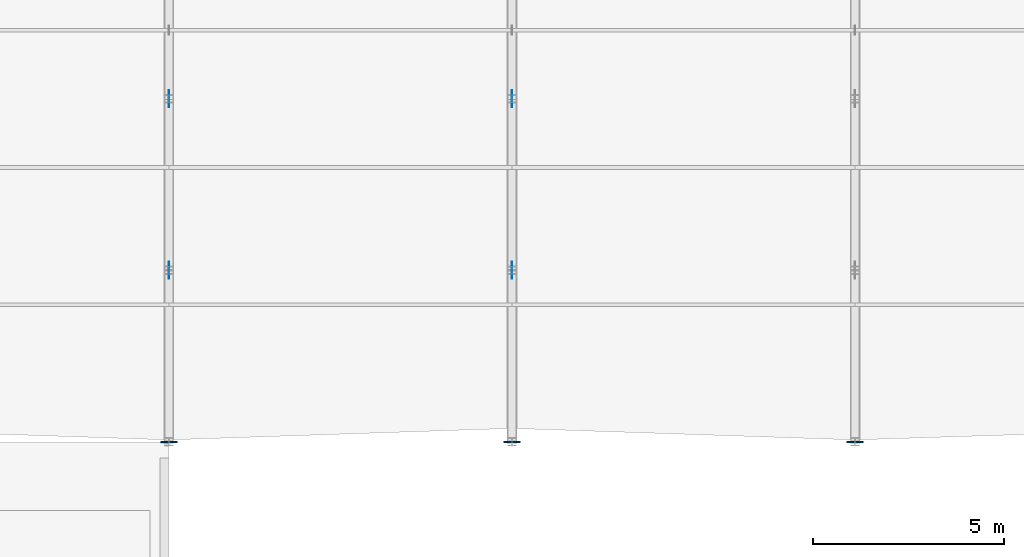
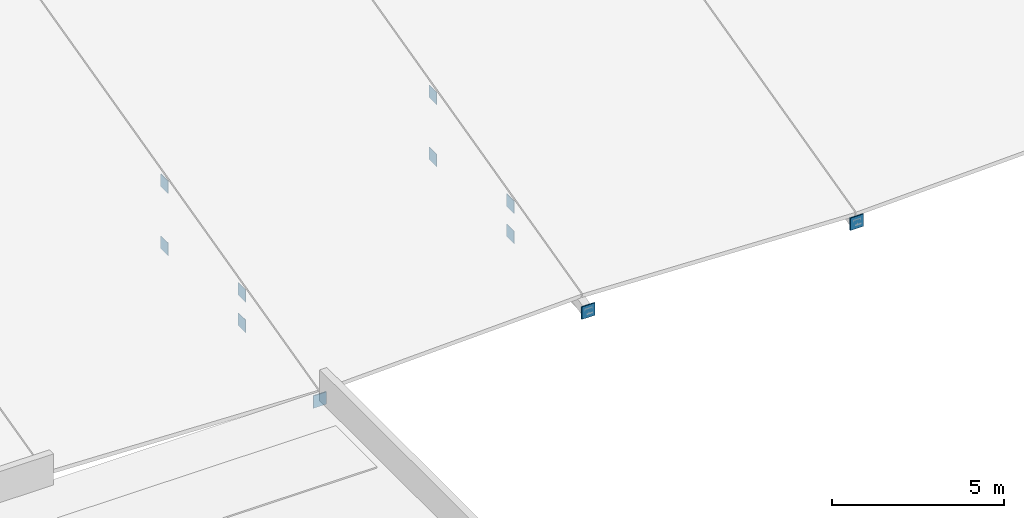
# One storey, part 24 of 36: 11 plates.
"""IFC4 building model written with IfcOpenShell, lengths in metres."""

import ifcopenshell
import ifcopenshell.guid

model = None  # the IFC model being written
_history = None  # IfcOwnerHistory: only IFC2X3 demands one
_inside = {}  # id of a spatial element -> (the spatial element, [elements in it])
_under = {}  # id of a project, library or spatial element -> (it, [spatial elements below it])
_declared = {}  # id of a project -> (the project, [libraries it declares])
_typed = {}  # id of a type object -> (the type object, [elements of that type])
_made_of = {}  # id of a material, layer set ... -> (it, [elements and type objects made of it])


def new_model(schema):
    """Start an empty IFC model of exactly this schema.

    Asked for "IFC4X3", IfcOpenShell would pick the latest addendum, in which some entities
    have other attributes; the version numbers below select the first issue.
    IFC2X3 requires an IfcOwnerHistory on every rooted entity: one is made here for all.
    """
    global model, _history
    if schema == "IFC4X3":
        model = ifcopenshell.file(schema_version=(4, 3, 0, 0))
    else:
        model = ifcopenshell.file(schema=schema)
    _inside.clear()
    _under.clear()
    _declared.clear()
    _typed.clear()
    _made_of.clear()
    _history = None
    if model.schema == "IFC2X3":
        org = make("IfcOrganization", Name="unknown")
        user = make(
            "IfcPersonAndOrganization",
            ThePerson=make("IfcPerson", FamilyName="unknown"),
            TheOrganization=org,
        )
        app = make(
            "IfcApplication",
            ApplicationDeveloper=org,
            Version="unknown",
            ApplicationFullName="unknown",
            ApplicationIdentifier="unknown",
        )
        _history = make(
            "IfcOwnerHistory",
            OwningUser=user,
            OwningApplication=app,
            ChangeAction="ADDED",
            CreationDate=0,
        )
    return model


def make(cls, **values):
    """One entity of the class cls with the attributes given. An attribute that is None is left unset."""
    return model.create_entity(
        cls, **{name: value for name, value in values.items() if value is not None}
    )


def rooted(cls, **values):
    """An entity with a GlobalId (a new one), such as an element, a storey or a relation."""
    return make(cls, GlobalId=ifcopenshell.guid.new(), OwnerHistory=_history, **values)


def si_unit(unit_type, name, prefix=None):
    """IfcSIUnit, for example si_unit("LENGTHUNIT", "METRE", prefix="MILLI")."""
    return make("IfcSIUnit", UnitType=unit_type, Prefix=prefix, Name=name)


def assignment(units):
    """IfcUnitAssignment: the units of a project."""
    return None if units is None else make("IfcUnitAssignment", Units=units)


def point(xyz):
    """IfcCartesianPoint."""
    return None if xyz is None else make("IfcCartesianPoint", Coordinates=xyz)


def direction(xyz):
    """IfcDirection."""
    return None if xyz is None else make("IfcDirection", DirectionRatios=xyz)


def frame(location, z_axis=None, x_axis=None):
    """IfcAxis2Placement3D, a coordinate frame: its origin and axes. An axis left out is left unset."""
    return make(
        "IfcAxis2Placement3D",
        Location=point(location),
        Axis=direction(z_axis),
        RefDirection=direction(x_axis),
    )


def frame_2d(location, x_axis=None):
    """IfcAxis2Placement2D, a coordinate frame in the plane: its origin and x axis."""
    return make(
        "IfcAxis2Placement2D", Location=point(location), RefDirection=direction(x_axis)
    )


def origin():
    """The frame at (0, 0, 0) with its axes left unset."""
    return frame((0.0, 0.0, 0.0))


def origin_2d():
    """The frame at (0, 0) in the plane with its x axis left unset."""
    return frame_2d((0.0, 0.0))


def place(relative_to, where):
    """IfcLocalPlacement: puts the frame where relative to a parent placement (None: the world)."""
    return make(
        "IfcLocalPlacement", PlacementRelTo=relative_to, RelativePlacement=where
    )


def context(
    kind, dimensions, precision=None, world=None, true_north=None, identifier=None
):
    """IfcGeometricRepresentationContext, for example the 3D "Model" context."""
    return make(
        "IfcGeometricRepresentationContext",
        ContextIdentifier=identifier,
        ContextType=kind,
        CoordinateSpaceDimension=dimensions,
        Precision=precision,
        WorldCoordinateSystem=world,
        TrueNorth=true_north,
    )


def subcontext(parent, identifier, kind, view, scale=None):
    """IfcGeometricRepresentationSubContext, for example "Body" below "Model"."""
    return make(
        "IfcGeometricRepresentationSubContext",
        ContextIdentifier=identifier,
        ContextType=kind,
        ParentContext=parent,
        TargetScale=scale,
        TargetView=view,
    )


def project(units=None, contexts=None):
    """IfcProject with its units and contexts."""
    return rooted(
        "IfcProject",
        Name="project",
        RepresentationContexts=contexts,
        UnitsInContext=assignment(units),
    )


def spatial(cls, under=None, at=None, **own):
    """A site, building, storey or space (cls), placed at a placement, below another one or the project."""
    s = rooted(cls, ObjectPlacement=at, **own)
    if under is not None:
        _under.setdefault(under.id(), (under, []))[1].append(s)
    return s


def profile(cls, at=None, kind="AREA", **sizes):
    """A parametric profile (cls). Its sizes go by their IFC names, for example OverallWidth=200.0."""
    return make(cls, ProfileType=kind, Position=at, **sizes)


def rectangle(**sizes):
    """IfcRectangleProfileDef."""
    return profile("IfcRectangleProfileDef", **sizes)


def extrude(swept, where, along, depth):
    """IfcExtrudedAreaSolid: the profile swept, set in the frame where, extruded along a direction by depth."""
    return make(
        "IfcExtrudedAreaSolid",
        SweptArea=swept,
        Position=where,
        ExtrudedDirection=direction(along),
        Depth=depth,
    )


def shape(context_of_items, identifier, shape_type, items):
    """IfcShapeRepresentation: the items that make up one representation, for example the "Body"."""
    return make(
        "IfcShapeRepresentation",
        ContextOfItems=context_of_items,
        RepresentationIdentifier=identifier,
        RepresentationType=shape_type,
        Items=items,
    )


def material(Name=None, Category=None):
    """IfcMaterial."""
    return make("IfcMaterial", Name=Name, Category=Category)


def layer(
    of_material, thickness, ventilated=None, Name=None, Category=None, Priority=None
):
    """IfcMaterialLayer: one layer of a wall or slab, of a material (None: an air gap)."""
    return make(
        "IfcMaterialLayer",
        Material=of_material,
        LayerThickness=thickness,
        IsVentilated=ventilated,
        Name=Name,
        Category=Category,
        Priority=Priority,
    )


def layer_set(layers, Name=None):
    """IfcMaterialLayerSet."""
    return make("IfcMaterialLayerSet", MaterialLayers=layers, LayerSetName=Name)


def made_of(thing, what):
    """Note that an element or type object is made of a material, layer set ...; save() writes the relation."""
    if what is not None:
        _made_of.setdefault(what.id(), (what, []))[1].append(thing)
    return thing


def type_object(cls, material=None, **own):
    """A type object (cls), such as IfcWallType, which elements share."""
    return made_of(rooted(cls, **own), material)


def element(
    cls,
    number,
    at=None,
    inside=None,
    cuts=None,
    type_object=None,
    material=None,
    context=None,
    identifier="Body",
    shape_type=None,
    held_by="IfcProductDefinitionShape",
    body=None,
    shapes=None,
    **own,
):
    """One element of the class cls, such as IfcWall. Its Tag is "e" and its number.

    at: its placement. inside: the storey or other place that contains it. cuts: it is an
    opening in that element (IfcRelVoidsElement). A single representation is given by context,
    identifier, shape_type and body (its items); several are given by shapes. held_by: the class
    of the entity that holds the representations. save() writes the other relations.
    """
    e = rooted(cls, Tag="e%d" % number, ObjectPlacement=at, **own)
    if body is not None:
        shapes = [shape(context, identifier, shape_type, body)]
    if shapes is not None:
        e.Representation = make(held_by, Representations=shapes)
    if inside is not None:
        _inside.setdefault(inside.id(), (inside, []))[1].append(e)
    if cuts is not None:
        rooted(
            "IfcRelVoidsElement", RelatingBuildingElement=cuts, RelatedOpeningElement=e
        )
    if type_object is not None:
        _typed.setdefault(type_object.id(), (type_object, []))[1].append(e)
    return made_of(e, material)


def aggregate(whole, parts):
    """IfcRelAggregates: a whole, such as a stair, and the parts it consists of."""
    return rooted("IfcRelAggregates", RelatingObject=whole, RelatedObjects=parts)


def save(model, path):
    """Write the relations noted so far, then the file.

    IfcRelAggregates (storeys below a building ...), IfcRelContainedInSpatialStructure (elements
    in a storey), IfcRelDefinesByType, IfcRelAssociatesMaterial and IfcRelDeclares: one each for
    every whole, place, type object, material and project.
    """
    for whole, parts in _under.values():
        aggregate(whole, parts)
    for where, things in _inside.values():
        rooted(
            "IfcRelContainedInSpatialStructure",
            RelatedElements=things,
            RelatingStructure=where,
        )
    for kind, things in _typed.values():
        rooted("IfcRelDefinesByType", RelatedObjects=things, RelatingType=kind)
    for what, things in _made_of.values():
        rooted("IfcRelAssociatesMaterial", RelatedObjects=things, RelatingMaterial=what)
    for by, libraries in _declared.values():
        rooted("IfcRelDeclares", RelatingContext=by, RelatedDefinitions=libraries)
    model.write(path)


model = new_model("IFC4")

# Units and contexts
model_context = context("Model", 3, precision=1e-05, world=origin(), true_north=direction((0.0, 1.0)))
body_context = subcontext(model_context, "Body", "Model", "MODEL_VIEW")
ifc_project = project(units=[si_unit("LENGTHUNIT", "METRE"), si_unit("AREAUNIT", "SQUARE_METRE"), si_unit("VOLUMEUNIT", "CUBIC_METRE"), si_unit("PLANEANGLEUNIT", "RADIAN"), si_unit("MASSUNIT", "GRAM", prefix="KILO")], contexts=[model_context])

# Site, building, storey
site_placement = place(None, origin())
site = spatial("IfcSite", under=ifc_project, at=site_placement, CompositionType="ELEMENT")
building_placement = place(site_placement, origin())
building = spatial("IfcBuilding", under=site, at=building_placement, Name="Montelvaro Courts of Justice", CompositionType="ELEMENT")
storey_placement = place(building_placement, frame((0.0, 0.0, 23.39990234375)))
storey = spatial("IfcBuildingStorey", under=building, at=storey_placement, Name="L05", CompositionType="ELEMENT", Elevation=23.39990234375)

# Plates
ifc_material = material(Name="Steel S355", Category="steel")
ifc_layer_1 = layer(ifc_material, 0.035888671875)
ifc_layer_set_1 = layer_set([ifc_layer_1], Name="Steel S355")
plate_type_1 = type_object("IfcPlateType", Name="EndCapPlate_36", PredefinedType="USERDEFINED", material=ifc_layer_set_1)
for number, where, z_axis, x_axis, name in (
    (1, (135.0, 78.0, -0.519775390625), (0.0, 0.0, 1.0), (1.0, 0.0, 0.0), "Roof Truss End Cap Plate CP-02 ROOF-V2-VTR05-B0"),
    (2, (144.0, 78.0, -0.519775390625), (0.0, 0.0, 1.0), (1.0, 0.0, 0.0), "Roof Truss End Cap Plate CP-02 ROOF-V2-VTR06-B0"),
    (3, (153.0, 78.0, -0.519775390625), (0.0, 0.0, 1.0), (1.0, 0.0, 0.0), "Roof Truss End Cap Plate CP-02 ROOF-V2-VTR07-B0"),
):
    element("IfcPlate", number, at=place(storey_placement, frame(where, z_axis=z_axis, x_axis=x_axis)), inside=storey, type_object=plate_type_1, Name=name, ObjectType="GUSSET PLATE", PredefinedType="USERDEFINED", context=body_context, shape_type="SweptSolid", body=[
        extrude(rectangle(XDim=0.43994140625, YDim=0.035888671875, at=origin_2d()), origin(), (0.0, 0.0, 1.0), 0.43994140625),
    ])
ifc_layer_2 = layer(ifc_material, 0.02001953125)
ifc_layer_set_2 = layer_set([ifc_layer_2], Name="Steel S355")
plate_type_2 = type_object("IfcPlateType", Name="GussetPlate_20", PredefinedType="USERDEFINED", material=ifc_layer_set_2)
for number, where, z_axis, x_axis, name in (
    (4, (135.0, 82.5, -0.519775390625), (0.0, 0.0, 1.0), (1.0, 0.0, 0.0), "Roof Truss Gusset Plate GP-01 ROOF-V2-VTR05-1B"),
    (5, (135.0, 82.5, 0.55517578125), (0.0, 0.0, 1.0), (1.0, 0.0, 0.0), "Roof Truss Gusset Plate GP-01 ROOF-V2-VTR05-1T"),
    (6, (135.0, 87.0, -0.519775390625), (0.0, 0.0, 1.0), (1.0, 0.0, 0.0), "Roof Truss Gusset Plate GP-01 ROOF-V2-VTR05-2B"),
    (7, (135.0, 87.0, 1.68017578125), (0.0, 0.0, 1.0), (1.0, 0.0, 0.0), "Roof Truss Gusset Plate GP-01 ROOF-V2-VTR05-2T"),
    (8, (144.0, 82.5, -0.519775390625), (0.0, 0.0, 1.0), (1.0, 0.0, 0.0), "Roof Truss Gusset Plate GP-01 ROOF-V2-VTR06-1B"),
    (9, (144.0, 82.5, 0.55517578125), (0.0, 0.0, 1.0), (1.0, 0.0, 0.0), "Roof Truss Gusset Plate GP-01 ROOF-V2-VTR06-1T"),
    (10, (144.0, 87.0, -0.519775390625), (0.0, 0.0, 1.0), (1.0, 0.0, 0.0), "Roof Truss Gusset Plate GP-01 ROOF-V2-VTR06-2B"),
    (11, (144.0, 87.0, 1.68017578125), (0.0, 0.0, 1.0), (1.0, 0.0, 0.0), "Roof Truss Gusset Plate GP-01 ROOF-V2-VTR06-2T"),
):
    element("IfcPlate", number, at=place(storey_placement, frame(where, z_axis=z_axis, x_axis=x_axis)), inside=storey, type_object=plate_type_2, Name=name, ObjectType="GUSSET PLATE", PredefinedType="USERDEFINED", context=body_context, shape_type="SweptSolid", body=[
        extrude(rectangle(XDim=0.02001953125, YDim=0.43994140625, at=origin_2d()), origin(), (0.0, 0.0, 1.0), 0.43994140625),
    ])

save(model, "model.ifc")
